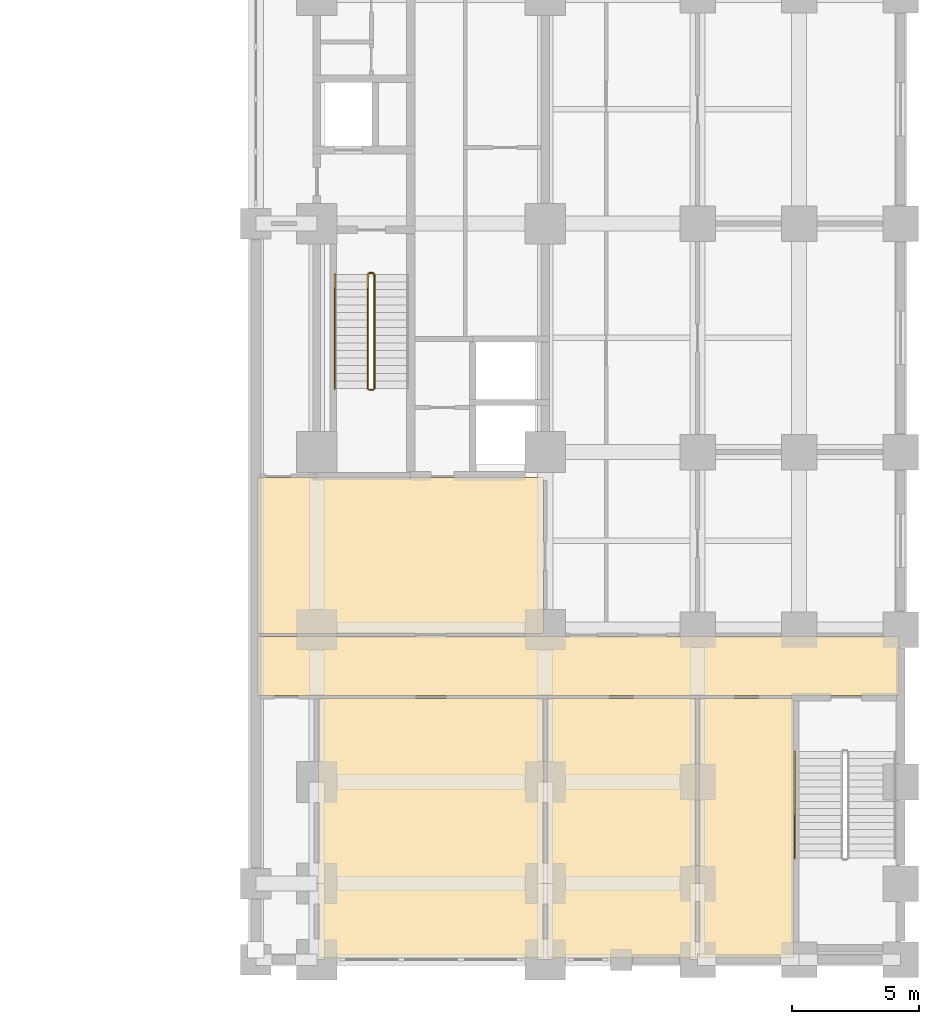
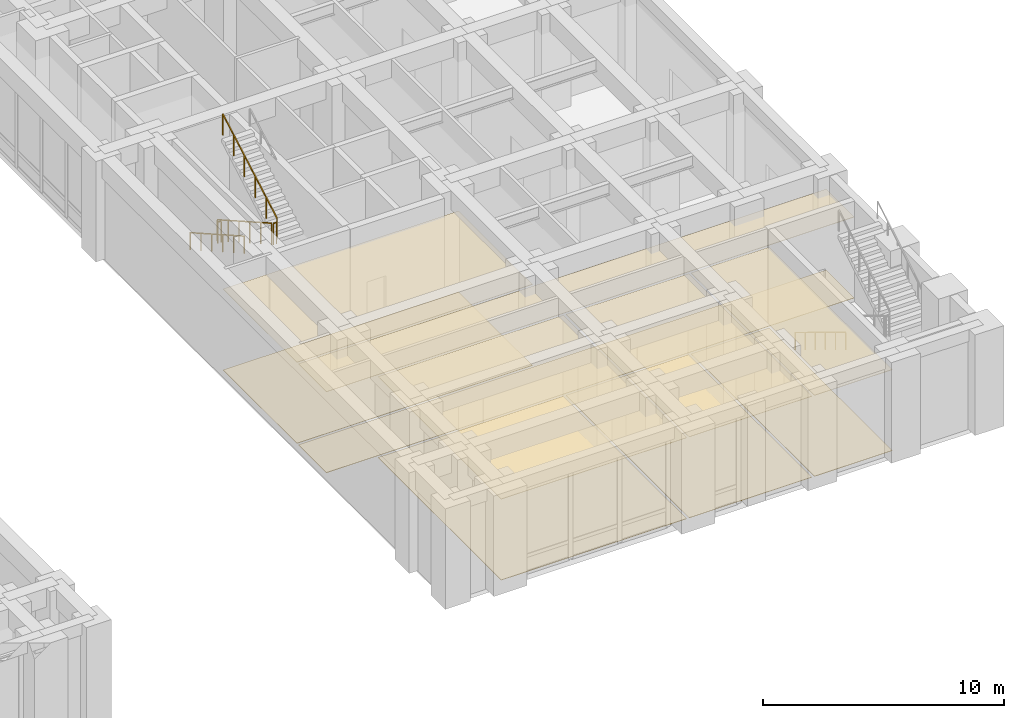
# One storey, part 18 of 21: 10 coverings, 6 railings.
"""IFC4 building model written with IfcOpenShell, lengths in metres."""

from ifc_helpers import new_model, si_unit, direction, frame, origin, origin_2d, place, context, subcontext, project, spatial, polyline, rectangle, outline, extrude, material, layer, layer_set, type_object, element, save


model = new_model("IFC4")

# Units and contexts
model_context = context("Model", 3, precision=1e-05, world=origin(), true_north=direction((0.0, 1.0)))
body_context = subcontext(model_context, "Body", "Model", "MODEL_VIEW")
ifc_project = project(units=[si_unit("LENGTHUNIT", "METRE"), si_unit("AREAUNIT", "SQUARE_METRE"), si_unit("VOLUMEUNIT", "CUBIC_METRE"), si_unit("PLANEANGLEUNIT", "RADIAN"), si_unit("MASSUNIT", "GRAM", prefix="KILO")], contexts=[model_context])

# Site, building, storey
site_placement = place(None, origin())
site = spatial("IfcSite", under=ifc_project, at=site_placement, CompositionType="ELEMENT")
building_placement = place(site_placement, origin())
building = spatial("IfcBuilding", under=site, at=building_placement, Name="Zulmaris Gate Convention Tower", CompositionType="ELEMENT")
storey_placement = place(building_placement, frame((0.0, 0.0, 5.43994140625)))
storey = spatial("IfcBuildingStorey", under=building, at=storey_placement, Name="L01", CompositionType="ELEMENT", Elevation=5.43994140625)

# Coverings
ifc_material_1 = material(Name="Mineral Fibre Acoustic Ceiling Tile")
ifc_layer_1 = layer(ifc_material_1, 0.02001953125, Name="Mineral Fibre Acoustic Ceiling Tile")
ifc_layer_set_1 = layer_set([ifc_layer_1], Name="Mineral Fibre Acoustic Ceiling Tile")
covering_type_1 = type_object("IfcCoveringType", Name="CLG-ACOUSTIC-600", PredefinedType="CEILING", material=ifc_layer_set_1)
covering_1_placement = place(storey_placement, frame((0.0, 0.0, 4.099853515625)))
element("IfcCovering", 1, at=covering_1_placement, inside=storey, type_object=covering_type_1, Name="CLG-L01-R54", PredefinedType="CEILING", context=body_context, shape_type="SweptSolid", body=[
    extrude(outline(polyline([(8.659912109375, -18.590087890625), (33.93994140625, -18.590087890625), (33.93994140625, -16.260009765625), (8.659912109375, -16.260009765625), (8.659912109375, -18.590087890625)])), origin(), (0.0, 0.0, 1.0), 0.02001953125),
])
covering_2_placement = place(storey_placement, frame((0.0, 0.0, 4.099853515625)))
element("IfcCovering", 2, at=covering_2_placement, inside=storey, type_object=covering_type_1, Name="CLG-L01-R56", PredefinedType="CEILING", context=body_context, shape_type="SweptSolid", body=[
    extrude(outline(polyline([(8.659912109375, -16.139892578125), (19.93994140625, -16.139892578125), (19.93994140625, -10.010009765625), (8.659912109375, -10.010009765625), (8.659912109375, -16.139892578125)])), origin(), (0.0, 0.0, 1.0), 0.02001953125),
])
covering_3_placement = place(storey_placement, frame((0.0, 0.0, 4.099853515625)))
element("IfcCovering", 3, at=covering_3_placement, inside=storey, type_object=covering_type_1, Name="CLG-L01-R86", PredefinedType="CEILING", context=body_context, shape_type="SweptSolid", body=[
    extrude(outline(polyline([(11.06005859375, -28.93994140625), (19.93994140625, -28.93994140625), (19.93994140625, -18.7099609375), (11.06005859375, -18.7099609375), (11.06005859375, -28.93994140625)])), origin(), (0.0, 0.0, 1.0), 0.02001953125),
])
covering_4_placement = place(storey_placement, frame((0.0, 0.0, 4.099853515625)))
element("IfcCovering", 4, at=covering_4_placement, inside=storey, type_object=covering_type_1, Name="CLG-L01-R87", PredefinedType="CEILING", context=body_context, shape_type="SweptSolid", body=[
    extrude(outline(polyline([(20.06005859375, -28.93994140625), (25.93994140625, -28.93994140625), (25.93994140625, -18.7099609375), (20.06005859375, -18.7099609375), (20.06005859375, -28.93994140625)])), origin(), (0.0, 0.0, 1.0), 0.02001953125),
])
covering_5_placement = place(storey_placement, frame((0.0, 0.0, 4.099853515625)))
element("IfcCovering", 5, at=covering_5_placement, inside=storey, type_object=covering_type_1, Name="CLG-L01-R88", PredefinedType="CEILING", context=body_context, shape_type="SweptSolid", body=[
    extrude(outline(polyline([(26.06005859375, -28.93994140625), (29.7900390625, -28.93994140625), (29.7900390625, -18.7099609375), (26.06005859375, -18.7099609375), (26.06005859375, -28.93994140625)])), origin(), (0.0, 0.0, 1.0), 0.02001953125),
])
ifc_material_2 = material(Name="Woven Acoustic Wool Carpet Tile")
ifc_layer_2 = layer(ifc_material_2, 0.02001953125, Name="Woven Acoustic Wool Carpet Tile")
ifc_layer_set_2 = layer_set([ifc_layer_2], Name="Woven Acoustic Wool Carpet Tile")
covering_type_2 = type_object("IfcCoveringType", Name="FLR-CARPET-12", PredefinedType="FLOORING", material=ifc_layer_set_2)
covering_6_placement = place(storey_placement, origin())
element("IfcCovering", 6, at=covering_6_placement, inside=storey, type_object=covering_type_2, Name="FLR-L01-R54", PredefinedType="FLOORING", context=body_context, shape_type="SweptSolid", body=[
    extrude(outline(polyline([(8.659912109375, -18.590087890625), (33.93994140625, -18.590087890625), (33.93994140625, -16.260009765625), (8.659912109375, -16.260009765625), (8.659912109375, -18.590087890625)])), origin(), (0.0, 0.0, 1.0), 0.02001953125),
])
covering_7_placement = place(storey_placement, origin())
element("IfcCovering", 7, at=covering_7_placement, inside=storey, type_object=covering_type_2, Name="FLR-L01-R56", PredefinedType="FLOORING", context=body_context, shape_type="SweptSolid", body=[
    extrude(outline(polyline([(8.659912109375, -16.139892578125), (19.93994140625, -16.139892578125), (19.93994140625, -10.010009765625), (8.659912109375, -10.010009765625), (8.659912109375, -16.139892578125)])), origin(), (0.0, 0.0, 1.0), 0.02001953125),
])
covering_8_placement = place(storey_placement, origin())
element("IfcCovering", 8, at=covering_8_placement, inside=storey, type_object=covering_type_2, Name="FLR-L01-R88", PredefinedType="FLOORING", context=body_context, shape_type="SweptSolid", body=[
    extrude(outline(polyline([(26.06005859375, -28.93994140625), (29.7900390625, -28.93994140625), (29.7900390625, -18.7099609375), (26.06005859375, -18.7099609375), (26.06005859375, -28.93994140625)])), origin(), (0.0, 0.0, 1.0), 0.02001953125),
])
ifc_material_3 = material(Name="Polished Granite Terrazzo Tile", Category="masonry")
ifc_layer_3 = layer(ifc_material_3, 0.02001953125, Name="Polished Granite Terrazzo Tile")
ifc_layer_set_3 = layer_set([ifc_layer_3], Name="Polished Granite Terrazzo Tile")
covering_type_3 = type_object("IfcCoveringType", Name="FLR-TERRAZZO-30", PredefinedType="FLOORING", material=ifc_layer_set_3)
covering_9_placement = place(storey_placement, origin())
element("IfcCovering", 9, at=covering_9_placement, inside=storey, type_object=covering_type_3, Name="FLR-L01-R86", PredefinedType="FLOORING", context=body_context, shape_type="SweptSolid", body=[
    extrude(outline(polyline([(11.06005859375, -28.93994140625), (19.93994140625, -28.93994140625), (19.93994140625, -18.7099609375), (11.06005859375, -18.7099609375), (11.06005859375, -28.93994140625)])), origin(), (0.0, 0.0, 1.0), 0.02001953125),
])
ifc_material_4 = material(Name="Engineered Teak Parquet Flooring")
ifc_layer_4 = layer(ifc_material_4, 0.02001953125, Name="Engineered Teak Parquet Flooring")
ifc_layer_set_4 = layer_set([ifc_layer_4], Name="Engineered Teak Parquet Flooring")
covering_type_4 = type_object("IfcCoveringType", Name="FLR-TIMBER-18", PredefinedType="FLOORING", material=ifc_layer_set_4)
covering_10_placement = place(storey_placement, origin())
element("IfcCovering", 10, at=covering_10_placement, inside=storey, type_object=covering_type_4, Name="FLR-L01-R87", PredefinedType="FLOORING", context=body_context, shape_type="SweptSolid", body=[
    extrude(outline(polyline([(20.06005859375, -28.93994140625), (25.93994140625, -28.93994140625), (25.93994140625, -18.7099609375), (20.06005859375, -18.7099609375), (20.06005859375, -28.93994140625)])), origin(), (0.0, 0.0, 1.0), 0.02001953125),
])

# Railings
ifc_material_5 = material(Name="Painted Galvanised Steel", Category="steel")
railing_type_1 = type_object("IfcRailingType", Name="RL-STG-1150", PredefinedType="GUARDRAIL", material=ifc_material_5)
railing_1_placement = place(storey_placement, frame((13.010009765625, -2.0, 0.169921875)))
element("IfcRailing", 11, at=railing_1_placement, inside=storey, type_object=railing_type_1, Name="L01 ST-2 stair guard 1", PredefinedType="GUARDRAIL", context=body_context, shape_type="SweptSolid", body=[
    extrude(rectangle(XDim=0.048095703125, YDim=0.048095703125, at=origin_2d()), frame((0.0, 0.0, 1.076171875), z_axis=(0.0, -0.870018136573, 0.493019717692), x_axis=(1.0, 0.0, 0.0)), (0.0, 0.0, 1.0), 5.17236328125),
    extrude(rectangle(XDim=0.0419921875, YDim=0.0419921875, at=origin_2d()), origin(), (0.0, 0.0, 1.0), 1.052001953125),
    extrude(rectangle(XDim=0.0419921875, YDim=0.0419921875, at=origin_2d()), frame((0.0, -0.89990234375, 0.510009765625)), (0.0, 0.0, 1.0), 1.052001953125),
    extrude(rectangle(XDim=0.0419921875, YDim=0.0419921875, at=origin_2d()), frame((0.0, -1.800048828125, 1.02001953125)), (0.0, 0.0, 1.0), 1.052001953125),
    extrude(rectangle(XDim=0.0419921875, YDim=0.0419921875, at=origin_2d()), frame((0.0, -2.699951171875, 1.530029296875)), (0.0, 0.0, 1.0), 1.052001953125),
    extrude(rectangle(XDim=0.0419921875, YDim=0.0419921875, at=origin_2d()), frame((0.0, -3.60009765625, 2.0400390625)), (0.0, 0.0, 1.0), 1.052001953125),
    extrude(rectangle(XDim=0.0419921875, YDim=0.0419921875, at=origin_2d()), frame((0.0, -4.5, 2.550048828125)), (0.0, 0.0, 1.0), 1.052001953125),
])
railing_2_placement = place(storey_placement, frame((13.06005859375, -6.550048828125, 2.719970703125)))
element("IfcRailing", 12, at=railing_2_placement, inside=storey, type_object=railing_type_1, Name="L01 ST-2 stair guard 2", PredefinedType="GUARDRAIL", context=body_context, shape_type="SweptSolid", body=[
    extrude(rectangle(XDim=0.048095703125, YDim=0.048095703125, at=origin_2d()), frame((0.0, 0.0, 1.076171875), z_axis=(1.0, 0.0, 0.0), x_axis=(0.0, 1.0, 0.0)), (0.0, 0.0, 1.0), 0.159912109375),
    extrude(rectangle(XDim=0.0419921875, YDim=0.0419921875, at=origin_2d()), origin(), (0.0, 0.0, 1.0), 1.052001953125),
    extrude(rectangle(XDim=0.0419921875, YDim=0.0419921875, at=origin_2d()), frame((0.159912109375, 0.0, 0.0)), (0.0, 0.0, 1.0), 1.052001953125),
])
railing_3_placement = place(storey_placement, frame((13.27001953125, -6.5, 2.889892578125)))
element("IfcRailing", 13, at=railing_3_placement, inside=storey, type_object=railing_type_1, Name="L01 ST-2 stair guard 3", PredefinedType="GUARDRAIL", context=body_context, shape_type="SweptSolid", body=[
    extrude(rectangle(XDim=0.048095703125, YDim=0.048095703125, at=origin_2d()), frame((0.0, 0.0, 1.076171875), z_axis=(0.0, 0.870018136573, 0.493019717692), x_axis=(-1.0, 0.0, 0.0)), (0.0, 0.0, 1.0), 5.17236328125),
    extrude(rectangle(XDim=0.0419921875, YDim=0.0419921875, at=origin_2d()), origin(), (0.0, 0.0, 1.0), 1.052001953125),
    extrude(rectangle(XDim=0.0419921875, YDim=0.0419921875, at=origin_2d()), frame((0.0, 0.89990234375, 0.510009765625)), (0.0, 0.0, 1.0), 1.052001953125),
    extrude(rectangle(XDim=0.0419921875, YDim=0.0419921875, at=origin_2d()), frame((0.0, 1.800048828125, 1.02001953125)), (0.0, 0.0, 1.0), 1.052001953125),
    extrude(rectangle(XDim=0.0419921875, YDim=0.0419921875, at=origin_2d()), frame((0.0, 2.699951171875, 1.530029296875)), (0.0, 0.0, 1.0), 1.052001953125),
    extrude(rectangle(XDim=0.0419921875, YDim=0.0419921875, at=origin_2d()), frame((0.0, 3.60009765625, 2.0400390625)), (0.0, 0.0, 1.0), 1.052001953125),
    extrude(rectangle(XDim=0.0419921875, YDim=0.0419921875, at=origin_2d()), frame((0.0, 4.5, 2.550048828125)), (0.0, 0.0, 1.0), 1.052001953125),
])
railing_4_placement = place(storey_placement, frame((13.06005859375, -1.949951171875, 0.0)))
element("IfcRailing", 14, at=railing_4_placement, inside=storey, type_object=railing_type_1, Name="L01 ST-2 stair guard 4", PredefinedType="GUARDRAIL", context=body_context, shape_type="SweptSolid", body=[
    extrude(rectangle(XDim=0.048095703125, YDim=0.048095703125, at=origin_2d()), frame((0.0, 0.0, 1.076171875), z_axis=(1.0, 0.0, 0.0), x_axis=(0.0, 1.0, 0.0)), (0.0, 0.0, 1.0), 0.159912109375),
    extrude(rectangle(XDim=0.0419921875, YDim=0.0419921875, at=origin_2d()), origin(), (0.0, 0.0, 1.0), 1.052001953125),
    extrude(rectangle(XDim=0.0419921875, YDim=0.0419921875, at=origin_2d()), frame((0.159912109375, 0.0, 0.0)), (0.0, 0.0, 1.0), 1.052001953125),
])
ifc_material_6 = material(Name="Brushed Stainless Steel", Category="steel")
railing_type_2 = type_object("IfcRailingType", Name="RL-STH-900", PredefinedType="HANDRAIL", material=ifc_material_6)
railing_5_placement = place(storey_placement, frame((11.7099609375, -2.0, 0.169921875)))
element("IfcRailing", 15, at=railing_5_placement, inside=storey, type_object=railing_type_2, Name="L01 ST-2 stair handrail 1", PredefinedType="HANDRAIL", context=body_context, shape_type="SweptSolid", body=[
    extrude(rectangle(XDim=0.048095703125, YDim=0.048095703125, at=origin_2d()), frame((0.0, 0.0, 0.8759765625), z_axis=(0.0, -0.870018136573, 0.493019717692), x_axis=(1.0, 0.0, 0.0)), (0.0, 0.0, 1.0), 5.17236328125),
    extrude(rectangle(XDim=0.0419921875, YDim=0.0419921875, at=origin_2d()), origin(), (0.0, 0.0, 1.0), 0.851806640625),
    extrude(rectangle(XDim=0.0419921875, YDim=0.0419921875, at=origin_2d()), frame((0.0, -0.89990234375, 0.510009765625)), (0.0, 0.0, 1.0), 0.851806640625),
    extrude(rectangle(XDim=0.0419921875, YDim=0.0419921875, at=origin_2d()), frame((0.0, -1.800048828125, 1.02001953125)), (0.0, 0.0, 1.0), 0.851806640625),
    extrude(rectangle(XDim=0.0419921875, YDim=0.0419921875, at=origin_2d()), frame((0.0, -2.699951171875, 1.530029296875)), (0.0, 0.0, 1.0), 0.851806640625),
    extrude(rectangle(XDim=0.0419921875, YDim=0.0419921875, at=origin_2d()), frame((0.0, -3.60009765625, 2.0400390625)), (0.0, 0.0, 1.0), 0.851806640625),
    extrude(rectangle(XDim=0.0419921875, YDim=0.0419921875, at=origin_2d()), frame((0.0, -4.5, 2.550048828125)), (0.0, 0.0, 1.0), 0.851806640625),
])
railing_6_placement = place(storey_placement, frame((29.830078125, -20.800048828125, 0.169921875)))
element("IfcRailing", 16, at=railing_6_placement, inside=storey, type_object=railing_type_2, Name="L01 ST-6 stair handrail 1", PredefinedType="HANDRAIL", context=body_context, shape_type="SweptSolid", body=[
    extrude(rectangle(XDim=0.048095703125, YDim=0.048095703125, at=origin_2d()), frame((0.0, 0.0, 0.8759765625), z_axis=(0.0, -0.854780430106, 0.518989803665), x_axis=(1.0, 0.0, 0.0)), (0.0, 0.0, 1.0), 4.91357421875),
    extrude(rectangle(XDim=0.0419921875, YDim=0.0419921875, at=origin_2d()), origin(), (0.0, 0.0, 1.0), 0.851806640625),
    extrude(rectangle(XDim=0.0419921875, YDim=0.0419921875, at=origin_2d()), frame((0.0, -0.840087890625, 0.510009765625)), (0.0, 0.0, 1.0), 0.851806640625),
    extrude(rectangle(XDim=0.0419921875, YDim=0.0419921875, at=origin_2d()), frame((0.0, -1.679931640625, 1.02001953125)), (0.0, 0.0, 1.0), 0.851806640625),
    extrude(rectangle(XDim=0.0419921875, YDim=0.0419921875, at=origin_2d()), frame((0.0, -2.52001953125, 1.530029296875)), (0.0, 0.0, 1.0), 0.851806640625),
    extrude(rectangle(XDim=0.0419921875, YDim=0.0419921875, at=origin_2d()), frame((0.0, -3.35986328125, 2.0400390625)), (0.0, 0.0, 1.0), 0.851806640625),
    extrude(rectangle(XDim=0.0419921875, YDim=0.0419921875, at=origin_2d()), frame((0.0, -4.199951171875, 2.550048828125)), (0.0, 0.0, 1.0), 0.851806640625),
])

save(model, "model.ifc")
